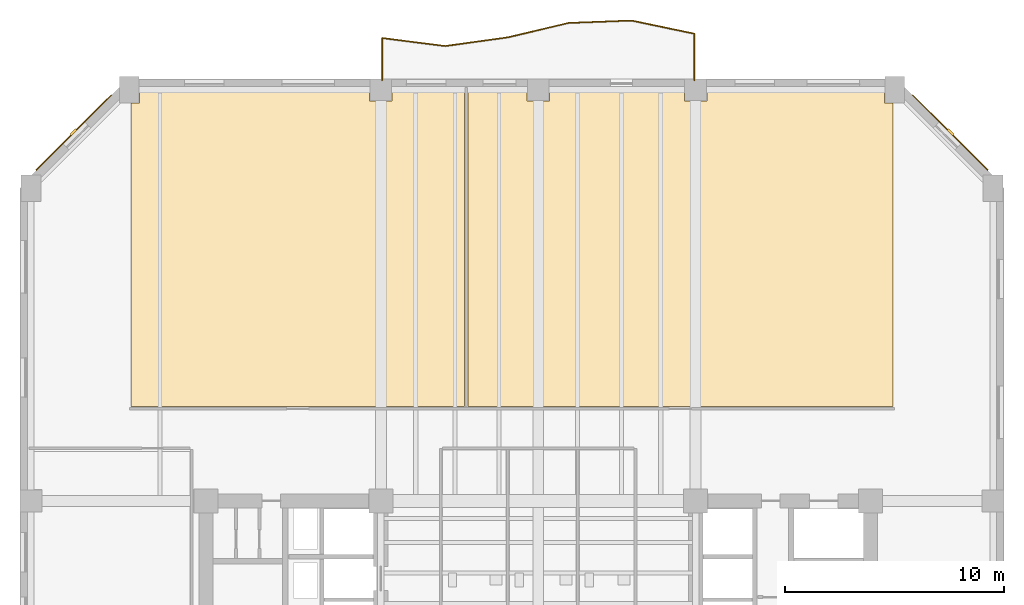
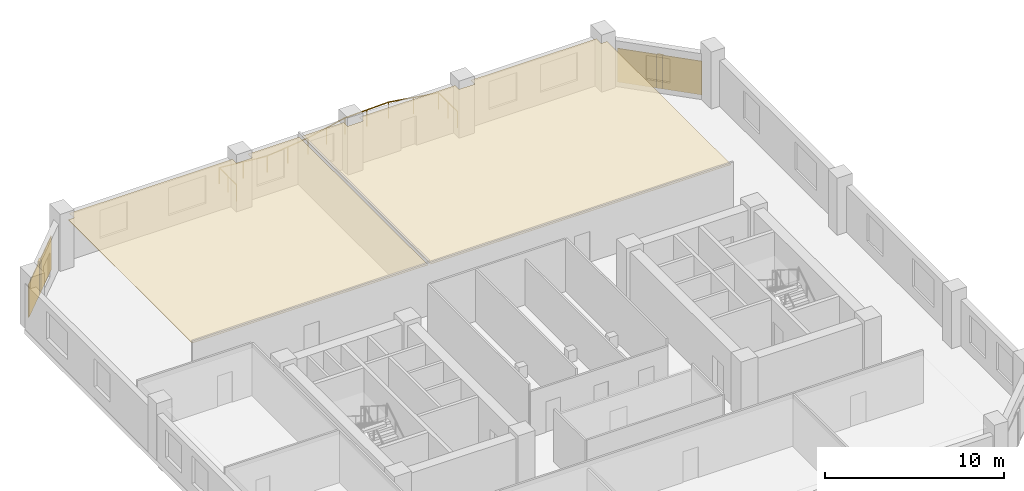
# One storey, part 9 of 10: 4 coverings, 2 shading devices, 1 railing.
"""IFC4 building model written with IfcOpenShell, lengths in metres."""

from ifc_helpers import new_model, si_unit, direction, frame, origin, origin_2d, place, context, subcontext, project, spatial, polyline, rectangle, circle, outline, extrude, material, layer, layer_set, type_object, element, save


model = new_model("IFC4")

# Units and contexts
model_context = context("Model", 3, precision=1e-05, world=origin(), true_north=direction((0.0, 1.0)))
body_context = subcontext(model_context, "Body", "Model", "MODEL_VIEW")
ifc_project = project(units=[si_unit("LENGTHUNIT", "METRE"), si_unit("AREAUNIT", "SQUARE_METRE"), si_unit("VOLUMEUNIT", "CUBIC_METRE"), si_unit("PLANEANGLEUNIT", "RADIAN"), si_unit("MASSUNIT", "GRAM", prefix="KILO")], contexts=[model_context])

# Site, building, storey
site_placement = place(None, origin())
site = spatial("IfcSite", under=ifc_project, at=site_placement, CompositionType="ELEMENT")
building_placement = place(site_placement, origin())
building = spatial("IfcBuilding", under=site, at=building_placement, Name="Kranthara Brick Stack", CompositionType="ELEMENT")
storey_placement = place(building_placement, frame((0.0, 0.0, 102.300048828125)))
storey = spatial("IfcBuildingStorey", under=building, at=storey_placement, Name="L25", CompositionType="ELEMENT", Elevation=102.300048828125)

# Coverings
ifc_material_1 = material(Name="Perforated mineral-fibre acoustic ceiling tile", Category="other")
ifc_layer_1 = layer(ifc_material_1, 0.02490234375)
ifc_layer_set_1 = layer_set([ifc_layer_1], Name="Perforated mineral-fibre acoustic ceiling tile")
covering_type_1 = type_object("IfcCoveringType", Name="COV-CEIL-ACOUSTIC", PredefinedType="CEILING", material=ifc_layer_set_1)
covering_1_placement = place(storey_placement, frame((0.0, 0.0, 3.329833984375)))
element("IfcCovering", 1, at=covering_1_placement, inside=storey, type_object=covering_type_1, Name="L25 L25 Open Plan Workspace 1 Acoustic Ceiling", PredefinedType="CEILING", context=body_context, shape_type="SweptSolid", body=[
    extrude(outline(polyline([(24.6201171875, 37.919921875), (9.3798828125, 37.919921875), (9.3798828125, 51.7900390625), (9.760009765625, 51.7900390625), (9.760009765625, 52.330078125), (20.2900390625, 52.330078125), (20.2900390625, 51.889892578125), (21.31005859375, 51.889892578125), (21.31005859375, 52.330078125), (24.6201171875, 52.330078125), (24.6201171875, 37.919921875)])), origin(), (0.0, 0.0, 1.0), 0.025146484375),
])
covering_2_placement = place(storey_placement, frame((0.0, 0.0, 3.329833984375)))
element("IfcCovering", 2, at=covering_2_placement, inside=storey, type_object=covering_type_1, Name="L25 L25 Staff Pantry 2 Acoustic Ceiling", PredefinedType="CEILING", context=body_context, shape_type="SweptSolid", body=[
    extrude(outline(polyline([(24.780029296875, 37.919921875), (24.780029296875, 52.330078125), (27.489990234375, 52.330078125), (27.489990234375, 51.889892578125), (28.510009765625, 51.889892578125), (28.510009765625, 52.330078125), (34.68994140625, 52.330078125), (34.68994140625, 51.889892578125), (35.7099609375, 51.889892578125), (35.7099609375, 52.330078125), (43.840087890625, 52.330078125), (43.840087890625, 51.7900390625), (44.219970703125, 51.7900390625), (44.219970703125, 37.919921875), (24.780029296875, 37.919921875)])), origin(), (0.0, 0.0, 1.0), 0.025146484375),
])
ifc_material_2 = material(Name="Warm buff kiln-fired brick slip rainscreen", Category="masonry")
ifc_layer_2 = layer(ifc_material_2, 0.044921875)
ifc_layer_set_2 = layer_set([ifc_layer_2], Name="Warm buff kiln-fired brick slip rainscreen")
covering_type_2 = type_object("IfcCoveringType", Name="COV-CLAD-BRICK", PredefinedType="CLADDING", material=ifc_layer_set_2)
for number, where, z_axis, x_axis, name in (
    (3, (6.756591796875, 50.443603515625, 0.0498046875), (0.0, 0.0, 1.0), (0.707106781187, 0.707106781187, 0.0), "L25 Chamfer Brick Rainscreen Cladding NW"),
    (4, (46.843505859375, 50.443603515625, 0.0498046875), (0.0, 0.0, 1.0), (0.707106781187, -0.707106781187, 0.0), "L25 Chamfer Brick Rainscreen Cladding NE"),
):
    element("IfcCovering", number, at=place(storey_placement, frame(where, z_axis=z_axis, x_axis=x_axis)), inside=storey, type_object=covering_type_2, Name=name, PredefinedType="CLADDING", context=body_context, shape_type="SweptSolid", body=[
        extrude(rectangle(XDim=4.876953125, YDim=0.044921875, at=origin_2d()), origin(), (0.0, 0.0, 1.0), 2.300048828125),
    ])

# Railing
ifc_material_3 = material(Name="Bronze anodised aluminium and laminated glass balustrade", Category="aluminium")
railing_type = type_object("IfcRailingType", Name="RL-BALC-1120", PredefinedType="BALUSTRADE", material=ifc_material_3)
railing_placement = place(storey_placement, frame((20.860107421875, 52.840087890625, 0.0)))
element("IfcRailing", 5, at=railing_placement, inside=storey, type_object=railing_type, Name="L25 North Rippling Balcony Balustrade", PredefinedType="BALUSTRADE", context=body_context, shape_type="SweptSolid", body=[
    extrude(circle(Radius=0.02392578125, at=origin_2d()), frame((0.0, 0.0, 1.09619140625), z_axis=(0.0, 1.0, 0.0), x_axis=(-1.0, 0.0, 0.0)), (0.0, 0.0, 1.0), 1.92822265625),
    extrude(circle(Radius=0.02392578125, at=origin_2d()), frame((0.0, 1.92822265625, 1.09619140625), z_axis=(0.991990633106, -0.126311455657, 0.0), x_axis=(0.126311455657, 0.991990633106, 0.0)), (0.0, 0.0, 1.0), 2.903076171875),
    extrude(circle(Radius=0.02392578125, at=origin_2d()), frame((2.8798828125, 1.5615234375, 1.09619140625), z_axis=(0.990463634066, 0.137774415595, 0.0), x_axis=(-0.137774415595, 0.990463634066, 0.0)), (0.0, 0.0, 1.0), 2.90625),
    extrude(circle(Radius=0.02392578125, at=origin_2d()), frame((5.75830078125, 1.9619140625, 1.09619140625), z_axis=(0.973019072316, 0.230724695056, 0.0), x_axis=(-0.230724695056, 0.973019072316, 0.0)), (0.0, 0.0, 1.0), 2.849609375),
    extrude(circle(Radius=0.02392578125, at=origin_2d()), frame((8.531005859375, 2.619384765625, 1.09619140625), z_axis=(0.999287916226, 0.0377314257, 0.0), x_axis=(-0.0377314257, 0.999287916226, 0.0)), (0.0, 0.0, 1.0), 2.872802734375),
    extrude(circle(Radius=0.02392578125, at=origin_2d()), frame((11.40185546875, 2.727783203125, 1.09619140625), z_axis=(0.978815010427, -0.204746612581, 0.0), x_axis=(0.204746612581, 0.978815010427, 0.0)), (0.0, 0.0, 1.0), 2.9404296875),
    extrude(circle(Radius=0.02392578125, at=origin_2d()), frame((14.280029296875, 2.125732421875, 1.09619140625), z_axis=(-0.00011485012, -0.999999993405, 0.0), x_axis=(0.999999993405, -0.00011485012, 0.0)), (0.0, 0.0, 1.0), 2.125732421875),
    extrude(circle(Radius=0.02099609375, at=origin_2d()), origin(), (0.0, 0.0, 1.0), 1.072021484375),
    extrude(circle(Radius=0.02099609375, at=origin_2d()), frame((0.0, 0.964111328125, 0.0)), (0.0, 0.0, 1.0), 1.072021484375),
    extrude(circle(Radius=0.02099609375, at=origin_2d()), frame((0.0, 1.92822265625, 0.0)), (0.0, 0.0, 1.0), 1.072021484375),
    extrude(circle(Radius=0.02099609375, at=origin_2d()), frame((1.43994140625, 1.744873046875, 0.0)), (0.0, 0.0, 1.0), 1.072021484375),
    extrude(circle(Radius=0.02099609375, at=origin_2d()), frame((2.8798828125, 1.5615234375, 0.0)), (0.0, 0.0, 1.0), 1.072021484375),
    extrude(circle(Radius=0.02099609375, at=origin_2d()), frame((4.319091796875, 1.76171875, 0.0)), (0.0, 0.0, 1.0), 1.072021484375),
    extrude(circle(Radius=0.02099609375, at=origin_2d()), frame((5.75830078125, 1.9619140625, 0.0)), (0.0, 0.0, 1.0), 1.072021484375),
    extrude(circle(Radius=0.02099609375, at=origin_2d()), frame((7.14453125, 2.29052734375, 0.0)), (0.0, 0.0, 1.0), 1.072021484375),
    extrude(circle(Radius=0.02099609375, at=origin_2d()), frame((8.531005859375, 2.619384765625, 0.0)), (0.0, 0.0, 1.0), 1.072021484375),
    extrude(circle(Radius=0.02099609375, at=origin_2d()), frame((9.96630859375, 2.673583984375, 0.0)), (0.0, 0.0, 1.0), 1.072021484375),
    extrude(circle(Radius=0.02099609375, at=origin_2d()), frame((11.40185546875, 2.727783203125, 0.0)), (0.0, 0.0, 1.0), 1.072021484375),
    extrude(circle(Radius=0.02099609375, at=origin_2d()), frame((12.8408203125, 2.4267578125, 0.0)), (0.0, 0.0, 1.0), 1.072021484375),
    extrude(circle(Radius=0.02099609375, at=origin_2d()), frame((14.280029296875, 2.125732421875, 0.0)), (0.0, 0.0, 1.0), 1.072021484375),
    extrude(circle(Radius=0.02099609375, at=origin_2d()), frame((14.27978515625, 1.06298828125, 0.0)), (0.0, 0.0, 1.0), 1.072021484375),
    extrude(circle(Radius=0.02099609375, at=origin_2d()), frame((14.27978515625, 0.0, 0.0)), (0.0, 0.0, 1.0), 1.072021484375),
])

# Shading devices
ifc_material_4 = material(Name="Kiln-fired terracotta aerodynamic wind fin", Category="masonry")
shading_device_type = type_object("IfcShadingDeviceType", Name="SHD-BAFFLE-CORNER", PredefinedType="SHUTTER", material=ifc_material_4)
for number, where, z_axis, x_axis, name in (
    (6, (6.7353515625, 50.464599609375, 0.0498046875), (0.0, 0.0, 1.0), (0.707106781187, 0.707106781187, 0.0), "L25 Chamfer Wind-Baffle Fin NW"),
    (7, (46.86474609375, 50.464599609375, 0.0498046875), (0.0, 0.0, 1.0), (0.707106781187, -0.707106781187, 0.0), "L25 Chamfer Wind-Baffle Fin NE"),
):
    element("IfcShadingDevice", number, at=place(storey_placement, frame(where, z_axis=z_axis, x_axis=x_axis)), inside=storey, type_object=shading_device_type, Name=name, PredefinedType="SHUTTER", context=body_context, shape_type="SweptSolid", body=[
        extrude(rectangle(XDim=0.35009765625, YDim=0.1201171875, at=origin_2d()), origin(), (0.0, 0.0, 1.0), 2.300048828125),
    ])

save(model, "model.ifc")
